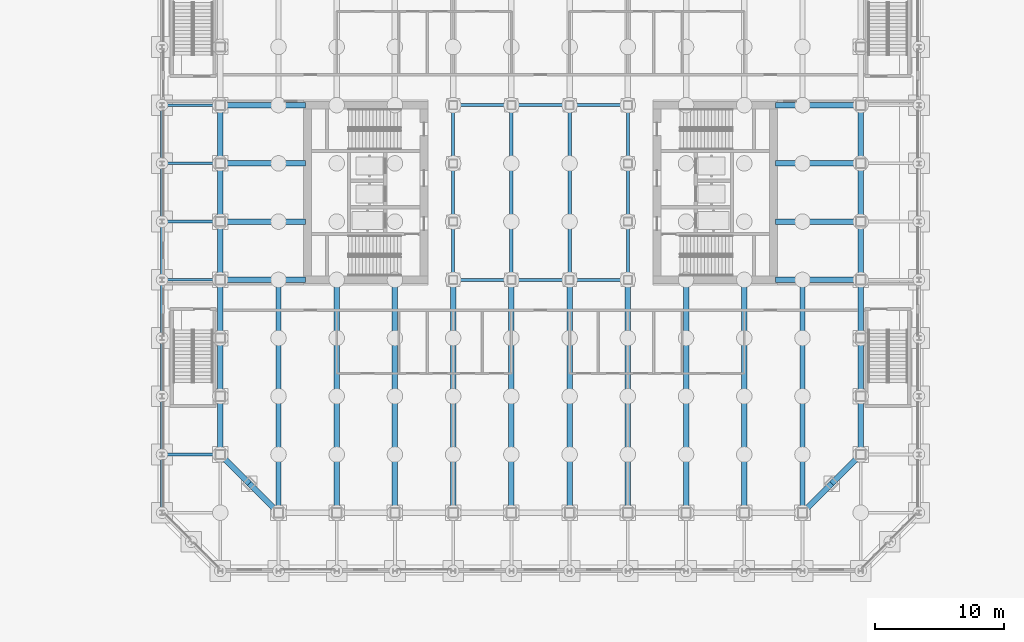
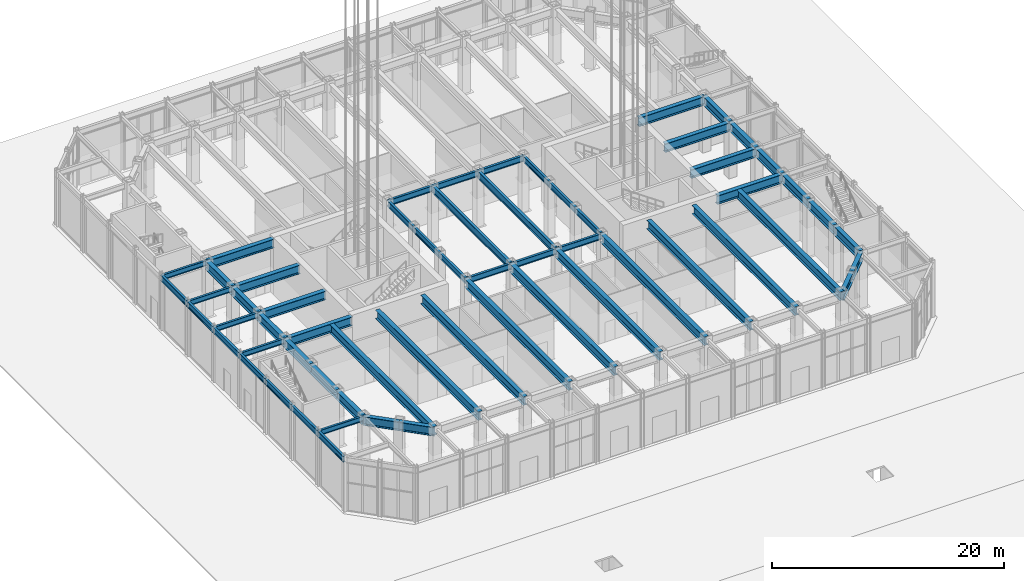
# One storey, part 7 of 39: 60 beams.
"""IFC4 building model written with IfcOpenShell, lengths in metres."""

from ifc_helpers import new_model, si_unit, direction, frame, origin, origin_2d, place, context, subcontext, project, spatial, i_section, extrude, material, material_profile, profile_set, type_object, element, save


model = new_model("IFC4")

# Units and contexts
model_context = context("Model", 3, precision=1e-05, world=origin(), true_north=direction((0.0, 1.0)))
body_context = subcontext(model_context, "Body", "Model", "MODEL_VIEW")
ifc_project = project(units=[si_unit("LENGTHUNIT", "METRE"), si_unit("AREAUNIT", "SQUARE_METRE"), si_unit("VOLUMEUNIT", "CUBIC_METRE"), si_unit("PLANEANGLEUNIT", "RADIAN"), si_unit("MASSUNIT", "GRAM", prefix="KILO")], contexts=[model_context])

# Site, building, storey
site_placement = place(None, origin())
site = spatial("IfcSite", under=ifc_project, at=site_placement, CompositionType="ELEMENT")
building_placement = place(site_placement, origin())
building = spatial("IfcBuilding", under=site, at=building_placement, Name="Msasa Ring Tower", CompositionType="ELEMENT")
storey_placement = place(building_placement, origin())
storey = spatial("IfcBuildingStorey", under=building, at=storey_placement, Name="L00", CompositionType="ELEMENT", Elevation=0.0)

# Beams
ifc_material_1 = material(Name="Steel S355", Category="steel")
ifc_material_profile_1 = material_profile(ifc_material_1, i_section(OverallWidth=0.41845703125, OverallDepth=0.911865234375, WebThickness=0.019287109375, FlangeThickness=0.031982421875, FilletRadius=0.024169921875, at=origin_2d()), Name="UB 914x419x343")
ifc_profile_set_1 = profile_set([ifc_material_profile_1], Name="Steel S355")
beam_type_1 = type_object("IfcBeamType", Name="FB1 UB 914x419x343", PredefinedType="BEAM", material=ifc_profile_set_1)
beam_1_placement = place(storey_placement, frame((-20.25, -24.75, 5.294189453125), z_axis=(0.0, 1.0, 0.0), x_axis=(-1.0, 0.0, 0.0)))
element("IfcBeam", 1, at=beam_1_placement, inside=storey, type_object=beam_type_1, Name="Floor beam S-20.25 under L01", PredefinedType="BEAM", context=body_context, shape_type="SweptSolid", body=[
    extrude(i_section(OverallWidth=0.41845703125, OverallDepth=0.911865234375, WebThickness=0.019287109375, FlangeThickness=0.031982421875, FilletRadius=0.024169921875, at=origin_2d()), origin(), (0.0, 0.0, 1.0), 17.789794921875),
])
for number, where, z_axis, x_axis, name in (
    (2, (-15.75, -24.75, 5.294189453125), (0.0, 1.0, 0.0), (-1.0, 0.0, 0.0), "Floor beam S-15.75 under L01"),
    (3, (-11.25, -24.75, 5.294189453125), (0.0, 1.0, 0.0), (-1.0, 0.0, 0.0), "Floor beam S-11.25 under L01"),
):
    element("IfcBeam", number, at=place(storey_placement, frame(where, z_axis=z_axis, x_axis=x_axis)), inside=storey, type_object=beam_type_1, Name=name, PredefinedType="BEAM", context=body_context, shape_type="SweptSolid", body=[
        extrude(i_section(OverallWidth=0.41845703125, OverallDepth=0.911865234375, WebThickness=0.019287109375, FlangeThickness=0.031982421875, FilletRadius=0.024169921875, at=origin_2d()), origin(), (0.0, 0.0, 1.0), 17.699951171875),
    ])
for number, where, z_axis, x_axis, name in (
    (4, (-6.75, -24.75, 5.294189453125), (0.0, 1.0, 0.0), (-1.0, 0.0, 0.0), "Floor beam S-6.75 under L01"),
    (5, (-2.25, -24.75, 5.294189453125), (0.0, 1.0, 0.0), (-1.0, 0.0, 0.0), "Floor beam S-2.25 under L01"),
    (6, (2.25, -24.75, 5.294189453125), (0.0, 1.0, 0.0), (-1.0, 0.0, 0.0), "Floor beam S+2.25 under L01"),
    (7, (6.75, -24.75, 5.294189453125), (0.0, 1.0, 0.0), (-1.0, 0.0, 0.0), "Floor beam S+6.75 under L01"),
):
    element("IfcBeam", number, at=place(storey_placement, frame(where, z_axis=z_axis, x_axis=x_axis)), inside=storey, type_object=beam_type_1, Name=name, PredefinedType="BEAM", context=body_context, shape_type="SweptSolid", body=[
        extrude(i_section(OverallWidth=0.41845703125, OverallDepth=0.911865234375, WebThickness=0.019287109375, FlangeThickness=0.031982421875, FilletRadius=0.024169921875, at=origin_2d()), origin(), (0.0, 0.0, 1.0), 18.0),
    ])
for number, where, z_axis, x_axis, name in (
    (8, (11.25, -24.75, 5.294189453125), (0.0, 1.0, 0.0), (-1.0, 0.0, 0.0), "Floor beam S+11.25 under L01"),
    (9, (15.75, -24.75, 5.294189453125), (0.0, 1.0, 0.0), (-1.0, 0.0, 0.0), "Floor beam S+15.75 under L01"),
):
    element("IfcBeam", number, at=place(storey_placement, frame(where, z_axis=z_axis, x_axis=x_axis)), inside=storey, type_object=beam_type_1, Name=name, PredefinedType="BEAM", context=body_context, shape_type="SweptSolid", body=[
        extrude(i_section(OverallWidth=0.41845703125, OverallDepth=0.911865234375, WebThickness=0.019287109375, FlangeThickness=0.031982421875, FilletRadius=0.024169921875, at=origin_2d()), origin(), (0.0, 0.0, 1.0), 17.699951171875),
    ])
beam_2_placement = place(storey_placement, frame((20.25, -24.75, 5.294189453125), z_axis=(0.0, 1.0, 0.0), x_axis=(-1.0, 0.0, 0.0)))
element("IfcBeam", 10, at=beam_2_placement, inside=storey, type_object=beam_type_1, Name="Floor beam S+20.25 under L01", PredefinedType="BEAM", context=body_context, shape_type="SweptSolid", body=[
    extrude(i_section(OverallWidth=0.41845703125, OverallDepth=0.911865234375, WebThickness=0.019287109375, FlangeThickness=0.031982421875, FilletRadius=0.024169921875, at=origin_2d()), origin(), (0.0, 0.0, 1.0), 17.789794921875),
])
ifc_material_2 = material(Name="Steel S355", Category="steel")
ifc_material_profile_2 = material_profile(ifc_material_2, i_section(OverallWidth=0.42041015625, OverallDepth=0.9208984375, WebThickness=0.021484375, FlangeThickness=0.03662109375, FilletRadius=0.024169921875, at=origin_2d()), Name="UB 914x419x388")
ifc_profile_set_2 = profile_set([ifc_material_profile_2], Name="Steel S355")
beam_type_2 = type_object("IfcBeamType", Name="FB2 UB 914x419x388", PredefinedType="BEAM", material=ifc_profile_set_2)
for number, where, z_axis, x_axis, name in (
    (11, (24.75, -2.25, 5.28955078125), (-1.0, 0.0, 0.0), (0.0, -1.0, 0.0), "Floor beam E -2.25 under L01"),
    (12, (24.75, 2.25, 5.28955078125), (-1.0, 0.0, 0.0), (0.0, -1.0, 0.0), "Floor beam E +2.25 under L01"),
    (13, (-24.75, -2.25, 5.28955078125), (1.0, 0.0, 0.0), (0.0, 1.0, 0.0), "Floor beam W -2.25 under L01"),
    (14, (-24.75, 2.25, 5.28955078125), (1.0, 0.0, 0.0), (0.0, 1.0, 0.0), "Floor beam W +2.25 under L01"),
):
    element("IfcBeam", number, at=place(storey_placement, frame(where, z_axis=z_axis, x_axis=x_axis)), inside=storey, type_object=beam_type_2, Name=name, PredefinedType="BEAM", context=body_context, shape_type="SweptSolid", body=[
        extrude(i_section(OverallWidth=0.42041015625, OverallDepth=0.9208984375, WebThickness=0.021484375, FlangeThickness=0.03662109375, FilletRadius=0.024169921875, at=origin_2d()), origin(), (0.0, 0.0, 1.0), 6.60009765625),
    ])
ifc_material_3 = material(Name="Steel S355", Category="steel")
ifc_material_profile_3 = material_profile(ifc_material_3, i_section(OverallWidth=0.42041015625, OverallDepth=0.9208984375, WebThickness=0.021484375, FlangeThickness=0.03662109375, FilletRadius=0.024169921875, at=origin_2d()), Name="UB 914x419x388")
ifc_profile_set_3 = profile_set([ifc_material_profile_3], Name="Steel S355")
beam_type_3 = type_object("IfcBeamType", Name="GB1 UB 914x419x388", PredefinedType="BEAM", material=ifc_profile_set_3)
for number, where, z_axis, x_axis, name in (
    (15, (18.14990234375, 6.75, 5.28955078125), (1.0, 0.0, 0.0), (0.0, 1.0, 0.0), "Girder E +6.75 under L01"),
    (16, (18.14990234375, -6.75, 5.28955078125), (1.0, 0.0, 0.0), (0.0, 1.0, 0.0), "Girder E -6.75 under L01"),
    (17, (-18.14990234375, 6.75, 5.28955078125), (-1.0, 0.0, 0.0), (0.0, -1.0, 0.0), "Girder W +6.75 under L01"),
    (18, (-18.14990234375, -6.75, 5.28955078125), (-1.0, 0.0, 0.0), (0.0, -1.0, 0.0), "Girder W -6.75 under L01"),
):
    element("IfcBeam", number, at=place(storey_placement, frame(where, z_axis=z_axis, x_axis=x_axis)), inside=storey, type_object=beam_type_3, Name=name, PredefinedType="BEAM", context=body_context, shape_type="SweptSolid", body=[
        extrude(i_section(OverallWidth=0.42041015625, OverallDepth=0.9208984375, WebThickness=0.021484375, FlangeThickness=0.03662109375, FilletRadius=0.024169921875, at=origin_2d()), origin(), (0.0, 0.0, 1.0), 6.60009765625),
    ])
ifc_material_4 = material(Name="Steel S355", Category="steel")
ifc_material_profile_4 = material_profile(ifc_material_4, i_section(OverallWidth=0.2119140625, OverallDepth=0.54443359375, WebThickness=0.0126953125, FlangeThickness=0.021240234375, FilletRadius=0.0126953125, at=origin_2d()), Name="UB 533x210x122")
ifc_profile_set_4 = profile_set([ifc_material_profile_4], Name="Steel S355")
beam_type_4 = type_object("IfcBeamType", Name="PB1 UB 533x210x122", PredefinedType="BEAM", material=ifc_profile_set_4)
for number, where, z_axis, x_axis, name in (
    (19, (-29.25, -20.25, 5.477783203125), (1.0, 0.0, 0.0), (0.0, 1.0, 0.0), "Podium beam W-20.25 under L01"),
    (20, (-29.25, -6.75, 5.477783203125), (1.0, 0.0, 0.0), (0.0, 1.0, 0.0), "Podium beam W-6.75 under L01"),
    (21, (-29.25, -2.25, 5.477783203125), (1.0, 0.0, 0.0), (0.0, 1.0, 0.0), "Podium beam W-2.25 under L01"),
    (22, (-29.25, 2.25, 5.477783203125), (1.0, 0.0, 0.0), (0.0, 1.0, 0.0), "Podium beam W+2.25 under L01"),
    (23, (-29.25, 6.75, 5.477783203125), (1.0, 0.0, 0.0), (0.0, 1.0, 0.0), "Podium beam W+6.75 under L01"),
):
    element("IfcBeam", number, at=place(storey_placement, frame(where, z_axis=z_axis, x_axis=x_axis)), inside=storey, type_object=beam_type_4, Name=name, PredefinedType="BEAM", context=body_context, shape_type="SweptSolid", body=[
        extrude(i_section(OverallWidth=0.2119140625, OverallDepth=0.54443359375, WebThickness=0.0126953125, FlangeThickness=0.021240234375, FilletRadius=0.0126953125, at=origin_2d()), origin(), (0.0, 0.0, 1.0), 4.5),
    ])
ifc_material_5 = material(Name="Steel S355", Category="steel")
ifc_material_profile_5 = material_profile(ifc_material_5, i_section(OverallWidth=0.230224609375, OverallDepth=0.6171875, WebThickness=0.01318359375, FlangeThickness=0.022216796875, FilletRadius=0.0126953125, at=origin_2d()), Name="UB 610x229x140")
ifc_profile_set_5 = profile_set([ifc_material_profile_5], Name="Steel S355")
beam_type_5 = type_object("IfcBeamType", Name="RB1 UB 610x229x140", PredefinedType="BEAM", material=ifc_profile_set_5)
for number, where, z_axis, x_axis, name in (
    (24, (-6.75, -2.25, 5.44140625), (0.0, -1.0, 0.0), (1.0, 0.0, 0.0), "Inner ring beam IR-6.75-2.25 under L01"),
    (25, (-6.75, -6.75, 5.44140625), (1.0, 0.0, 0.0), (0.0, 1.0, 0.0), "Inner ring beam IR-6.75-6.75 under L01"),
    (26, (-2.25, -6.75, 5.44140625), (1.0, 0.0, 0.0), (0.0, 1.0, 0.0), "Inner ring beam IR-2.25-6.75 under L01"),
    (27, (2.25, -6.75, 5.44140625), (1.0, 0.0, 0.0), (0.0, 1.0, 0.0), "Inner ring beam IR+2.25-6.75 under L01"),
    (28, (6.75, -6.75, 5.44140625), (0.0, 1.0, 0.0), (-1.0, 0.0, 0.0), "Inner ring beam IR+6.75-6.75 under L01"),
    (29, (6.75, -2.25, 5.44140625), (0.0, 1.0, 0.0), (-1.0, 0.0, 0.0), "Inner ring beam IR+6.75-2.25 under L01"),
    (30, (6.75, 2.25, 5.44140625), (0.0, 1.0, 0.0), (-1.0, 0.0, 0.0), "Inner ring beam IR+6.75+2.25 under L01"),
    (31, (6.75, 6.75, 5.44140625), (-1.0, 0.0, 0.0), (0.0, -1.0, 0.0), "Inner ring beam IR+6.75+6.75 under L01"),
    (32, (2.25, 6.75, 5.44140625), (-1.0, 0.0, 0.0), (0.0, -1.0, 0.0), "Inner ring beam IR+2.25+6.75 under L01"),
    (33, (-2.25, 6.75, 5.44140625), (-1.0, 0.0, 0.0), (0.0, -1.0, 0.0), "Inner ring beam IR-2.25+6.75 under L01"),
    (34, (-6.75, 6.75, 5.44140625), (0.0, -1.0, 0.0), (1.0, 0.0, 0.0), "Inner ring beam IR-6.75+6.75 under L01"),
    (35, (-6.75, 2.25, 5.44140625), (0.0, -1.0, 0.0), (1.0, 0.0, 0.0), "Inner ring beam IR-6.75+2.25 under L01"),
):
    element("IfcBeam", number, at=place(storey_placement, frame(where, z_axis=z_axis, x_axis=x_axis)), inside=storey, type_object=beam_type_5, Name=name, PredefinedType="BEAM", context=body_context, shape_type="SweptSolid", body=[
        extrude(i_section(OverallWidth=0.230224609375, OverallDepth=0.6171875, WebThickness=0.01318359375, FlangeThickness=0.022216796875, FilletRadius=0.0126953125, at=origin_2d()), origin(), (0.0, 0.0, 1.0), 4.5),
    ])
ifc_material_6 = material(Name="Steel S355", Category="steel")
ifc_material_profile_6 = material_profile(ifc_material_6, i_section(OverallWidth=0.42041015625, OverallDepth=0.9208984375, WebThickness=0.021484375, FlangeThickness=0.03662109375, FilletRadius=0.024169921875, at=origin_2d()), Name="UB 914x419x388")
ifc_profile_set_6 = profile_set([ifc_material_profile_6], Name="Steel S355")
beam_type_6 = type_object("IfcBeamType", Name="SB1 UB 914x419x388", PredefinedType="SPANDREL", material=ifc_profile_set_6)
for number, where, z_axis, x_axis, name in (
    (36, (-24.75, -2.25, 5.28955078125), (0.0, -1.0, 0.0), (1.0, 0.0, 0.0), "Spandrel W-2.25 to W-6.75 under L01"),
    (37, (-24.75, -6.75, 5.28955078125), (0.0, -1.0, 0.0), (1.0, 0.0, 0.0), "Spandrel W-6.75 to W-11.25 under L01"),
    (38, (-24.75, -11.25, 5.28955078125), (0.0, -1.0, 0.0), (1.0, 0.0, 0.0), "Spandrel W-11.25 to W-15.75 under L01"),
    (39, (-24.75, -15.75, 5.28955078125), (0.0, -1.0, 0.0), (1.0, 0.0, 0.0), "Spandrel W-15.75 to W-20.25 under L01"),
):
    element("IfcBeam", number, at=place(storey_placement, frame(where, z_axis=z_axis, x_axis=x_axis)), inside=storey, type_object=beam_type_6, Name=name, PredefinedType="SPANDREL", context=body_context, shape_type="SweptSolid", body=[
        extrude(i_section(OverallWidth=0.42041015625, OverallDepth=0.9208984375, WebThickness=0.021484375, FlangeThickness=0.03662109375, FilletRadius=0.024169921875, at=origin_2d()), origin(), (0.0, 0.0, 1.0), 4.5),
    ])
for number, where, z_axis, x_axis, name in (
    (40, (-24.75, -20.25, 5.28955078125), (0.707106781187, -0.707106781187, 0.0), (0.707106781187, 0.707106781187, 0.0), "Spandrel W-20.25 to SW under L01"),
    (41, (-22.5, -22.5, 5.28955078125), (0.707106781187, -0.707106781187, 0.0), (0.707106781187, 0.707106781187, 0.0), "Spandrel SW to S-20.25 under L01"),
    (42, (20.25, -24.75, 5.28955078125), (0.707106781187, 0.707106781187, 0.0), (-0.707106781187, 0.707106781187, 0.0), "Spandrel S+20.25 to SE under L01"),
    (43, (22.5, -22.5, 5.28955078125), (0.707106781187, 0.707106781187, 0.0), (-0.707106781187, 0.707106781187, 0.0), "Spandrel SE to E-20.25 under L01"),
):
    element("IfcBeam", number, at=place(storey_placement, frame(where, z_axis=z_axis, x_axis=x_axis)), inside=storey, type_object=beam_type_6, Name=name, PredefinedType="SPANDREL", context=body_context, shape_type="SweptSolid", body=[
        extrude(i_section(OverallWidth=0.42041015625, OverallDepth=0.9208984375, WebThickness=0.021484375, FlangeThickness=0.03662109375, FilletRadius=0.024169921875, at=origin_2d()), origin(), (0.0, 0.0, 1.0), 3.181884765625),
    ])
for number, where, z_axis, x_axis, name in (
    (44, (24.75, -20.25, 5.28955078125), (0.0, 1.0, 0.0), (-1.0, 0.0, 0.0), "Spandrel E-20.25 to E-15.75 under L01"),
    (45, (24.75, -15.75, 5.28955078125), (0.0, 1.0, 0.0), (-1.0, 0.0, 0.0), "Spandrel E-15.75 to E-11.25 under L01"),
    (46, (24.75, -11.25, 5.28955078125), (0.0, 1.0, 0.0), (-1.0, 0.0, 0.0), "Spandrel E-11.25 to E-6.75 under L01"),
    (47, (24.75, -6.75, 5.28955078125), (0.0, 1.0, 0.0), (-1.0, 0.0, 0.0), "Spandrel E-6.75 to E-2.25 under L01"),
    (48, (24.75, -2.25, 5.28955078125), (0.0, 1.0, 0.0), (-1.0, 0.0, 0.0), "Spandrel E-2.25 to E+2.25 under L01"),
    (49, (24.75, 2.25, 5.28955078125), (0.0, 1.0, 0.0), (-1.0, 0.0, 0.0), "Spandrel E+2.25 to E+6.75 under L01"),
    (50, (-24.75, 6.75, 5.28955078125), (0.0, -1.0, 0.0), (1.0, 0.0, 0.0), "Spandrel W+6.75 to W+2.25 under L01"),
    (51, (-24.75, 2.25, 5.28955078125), (0.0, -1.0, 0.0), (1.0, 0.0, 0.0), "Spandrel W+2.25 to W-2.25 under L01"),
):
    element("IfcBeam", number, at=place(storey_placement, frame(where, z_axis=z_axis, x_axis=x_axis)), inside=storey, type_object=beam_type_6, Name=name, PredefinedType="SPANDREL", context=body_context, shape_type="SweptSolid", body=[
        extrude(i_section(OverallWidth=0.42041015625, OverallDepth=0.9208984375, WebThickness=0.021484375, FlangeThickness=0.03662109375, FilletRadius=0.024169921875, at=origin_2d()), origin(), (0.0, 0.0, 1.0), 4.5),
    ])
ifc_material_7 = material(Name="Steel S355", Category="steel")
ifc_material_profile_7 = material_profile(ifc_material_7, i_section(OverallWidth=0.230224609375, OverallDepth=0.6171875, WebThickness=0.01318359375, FlangeThickness=0.022216796875, FilletRadius=0.0126953125, at=origin_2d()), Name="UB 610x229x140")
ifc_profile_set_7 = profile_set([ifc_material_profile_7], Name="Steel S355")
beam_type_7 = type_object("IfcBeamType", Name="SB2 UB 610x229x140", PredefinedType="SPANDREL", material=ifc_profile_set_7)
for number, where, z_axis, x_axis, name in (
    (52, (-29.25, -2.25, 5.44140625), (0.0, -1.0, 0.0), (1.0, 0.0, 0.0), "Podium spandrel W-2.25 under L01"),
    (53, (-29.25, -6.75, 5.44140625), (0.0, -1.0, 0.0), (1.0, 0.0, 0.0), "Podium spandrel W-6.75 under L01"),
    (54, (-29.25, -11.25, 5.44140625), (0.0, -1.0, 0.0), (1.0, 0.0, 0.0), "Podium spandrel W-11.25 under L01"),
    (55, (-29.25, -15.75, 5.44140625), (0.0, -1.0, 0.0), (1.0, 0.0, 0.0), "Podium spandrel W-15.75 under L01"),
    (56, (-29.25, -20.25, 5.44140625), (0.0, -1.0, 0.0), (1.0, 0.0, 0.0), "Podium spandrel W-20.25 under L01"),
    (57, (-29.25, 6.75, 5.44140625), (0.0, -1.0, 0.0), (1.0, 0.0, 0.0), "Podium spandrel W+6.75 under L01"),
    (58, (-29.25, 2.25, 5.44140625), (0.0, -1.0, 0.0), (1.0, 0.0, 0.0), "Podium spandrel W+2.25 under L01"),
):
    element("IfcBeam", number, at=place(storey_placement, frame(where, z_axis=z_axis, x_axis=x_axis)), inside=storey, type_object=beam_type_7, Name=name, PredefinedType="SPANDREL", context=body_context, shape_type="SweptSolid", body=[
        extrude(i_section(OverallWidth=0.230224609375, OverallDepth=0.6171875, WebThickness=0.01318359375, FlangeThickness=0.022216796875, FilletRadius=0.0126953125, at=origin_2d()), origin(), (0.0, 0.0, 1.0), 4.5),
    ])
ifc_material_8 = material(Name="Steel S355", Category="steel")
ifc_material_profile_8 = material_profile(ifc_material_8, i_section(OverallWidth=0.26806640625, OverallDepth=0.769775390625, WebThickness=0.015625, FlangeThickness=0.025390625, FilletRadius=0.0166015625, at=origin_2d()), Name="UB 762x267x197")
ifc_profile_set_8 = profile_set([ifc_material_profile_8], Name="Steel S355")
beam_type_8 = type_object("IfcBeamType", Name="WB1 UB 762x267x197", PredefinedType="BEAM", material=ifc_profile_set_8)
for number, where, z_axis, x_axis, name in (
    (59, (-2.25, -6.75, 5.364990234375), (0.0, 1.0, 0.0), (-1.0, 0.0, 0.0), "Well beam -2.25 under L01"),
    (60, (2.25, -6.75, 5.364990234375), (0.0, 1.0, 0.0), (-1.0, 0.0, 0.0), "Well beam +2.25 under L01"),
):
    element("IfcBeam", number, at=place(storey_placement, frame(where, z_axis=z_axis, x_axis=x_axis)), inside=storey, type_object=beam_type_8, Name=name, PredefinedType="BEAM", context=body_context, shape_type="SweptSolid", body=[
        extrude(i_section(OverallWidth=0.26806640625, OverallDepth=0.769775390625, WebThickness=0.015625, FlangeThickness=0.025390625, FilletRadius=0.0166015625, at=origin_2d()), origin(), (0.0, 0.0, 1.0), 13.5),
    ])

save(model, "model.ifc")
